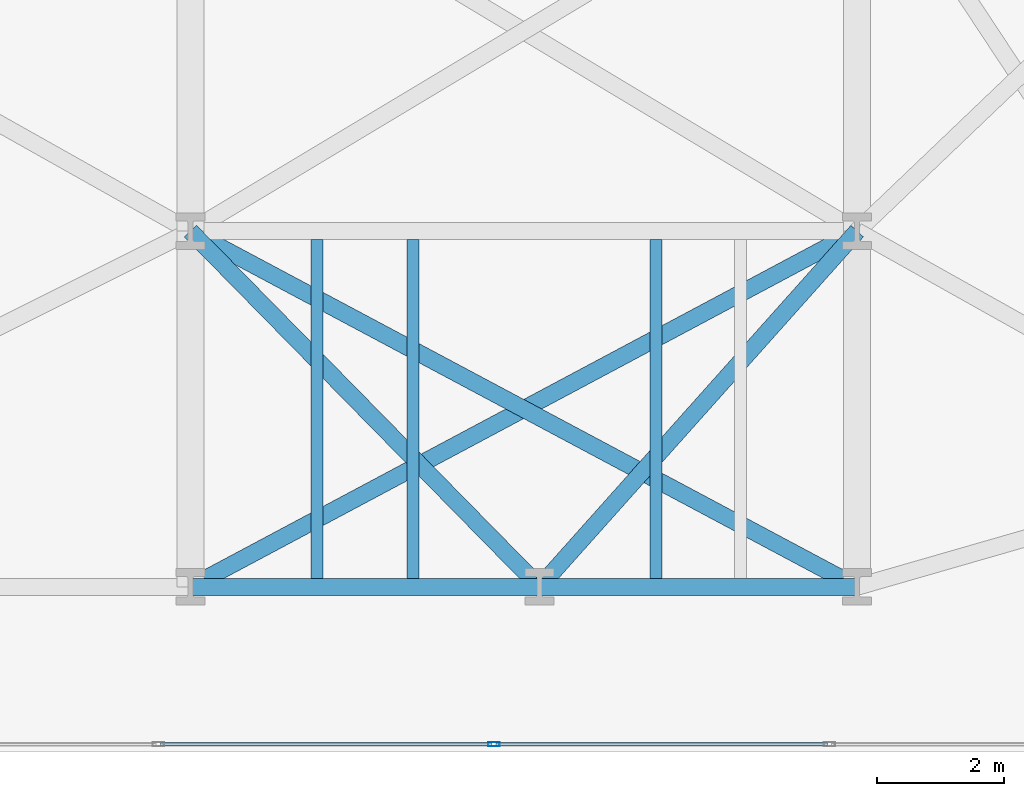
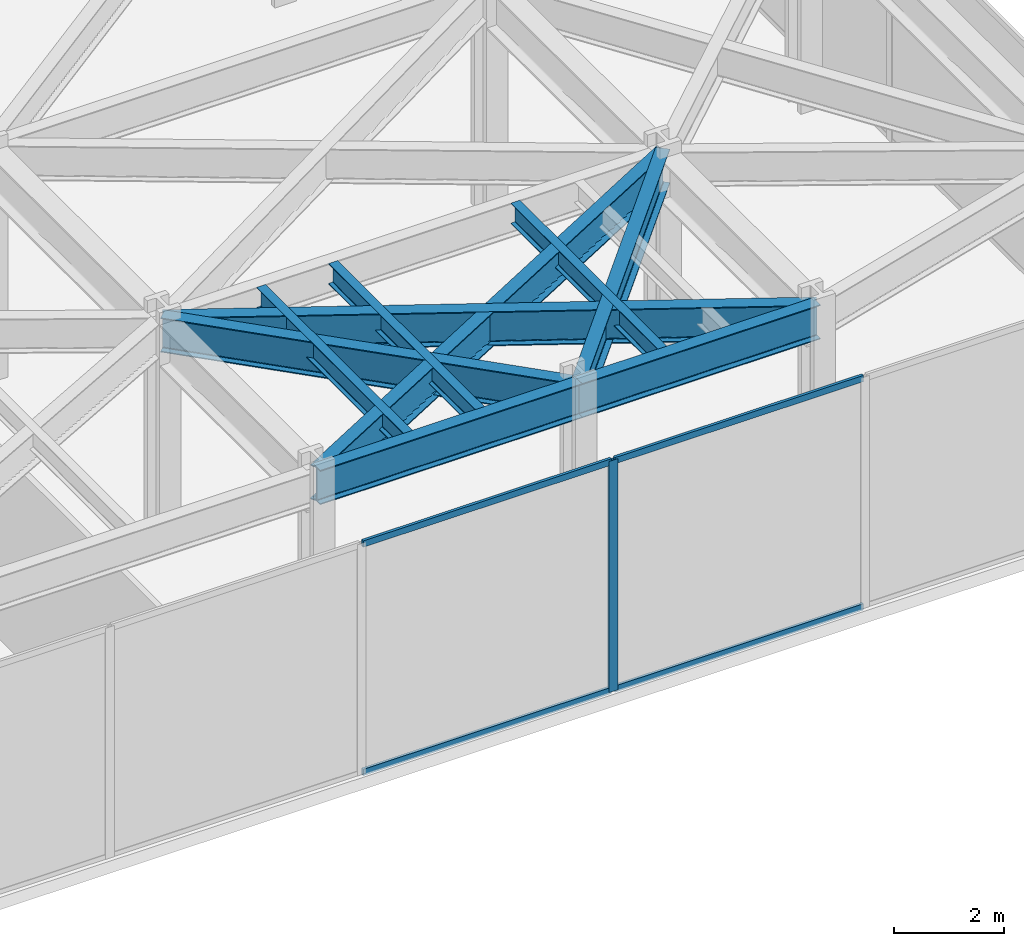
# One storey, part 17 of 29: 9 beams, 5 members, 1 element without a shape of its own.
"""IFC4 building model written with IfcOpenShell, lengths in metres."""

from ifc_helpers import new_model, si_unit, direction, frame, origin, origin_2d, place, context, subcontext, project, spatial, hollow_rectangle, i_section, extrude, material, layer, layer_set, material_profile, profile_set, type_object, element, aggregate, save


model = new_model("IFC4")

# Units and contexts
model_context = context("Model", 3, precision=1e-05, world=origin(), true_north=direction((0.0, 1.0)))
body_context = subcontext(model_context, "Body", "Model", "MODEL_VIEW")
ifc_project = project(units=[si_unit("LENGTHUNIT", "METRE"), si_unit("AREAUNIT", "SQUARE_METRE"), si_unit("VOLUMEUNIT", "CUBIC_METRE"), si_unit("PLANEANGLEUNIT", "RADIAN"), si_unit("MASSUNIT", "GRAM", prefix="KILO")], contexts=[model_context])

# Site, building, storey
site_placement = place(None, origin())
site = spatial("IfcSite", under=ifc_project, at=site_placement, CompositionType="ELEMENT")
building_placement = place(site_placement, origin())
building = spatial("IfcBuilding", under=site, at=building_placement, Name="Kravanh Interchange Tower", CompositionType="ELEMENT")
storey_placement = place(building_placement, frame((0.0, 0.0, 5.39990234375)))
storey = spatial("IfcBuildingStorey", under=building, at=storey_placement, Name="L01", CompositionType="ELEMENT", Elevation=5.39990234375)

# Curtain wall, members
ifc_material_1 = material(Name="Anodised Bronze Aluminium", Category="aluminium")
ifc_layer = layer(ifc_material_1, 0.179931640625)
ifc_layer_set = layer_set([ifc_layer], Name="Unitised Curtain Wall System CW-POD Podium Concourse")
curtain_wall_type = type_object("IfcCurtainWallType", Name="Unitised Curtain Wall System CW-POD Podium Concourse", PredefinedType="NOTDEFINED", material=ifc_layer_set)
curtain_wall_placement = place(storey_placement, origin())
curtain_wall = element("IfcCurtainWall", 1, at=curtain_wall_placement, inside=storey, type_object=curtain_wall_type, Name="L01 Unitised Curtain Wall CW-L01-04", PredefinedType="NOTDEFINED")
ifc_material_2 = material(Name="Anodised Bronze Aluminium", Category="aluminium")
ifc_material_profile_1 = material_profile(ifc_material_2, hollow_rectangle(XDim=0.070068359375, YDim=0.179931640625, WallThickness=0.00390625, at=origin_2d()), Name="ALU70X180X4")
ifc_profile_set_1 = profile_set([ifc_material_profile_1], Name="Anodised Bronze Aluminium")
member_type_1 = type_object("IfcMemberType", Name="Curtain Wall Mullion ALU70X180X4 Bronze", PredefinedType="MULLION", material=ifc_profile_set_1)
member_1_placement = place(storey_placement, frame((60.781005859375, 0.1201171875, 0.0), z_axis=(0.0, 0.0, 1.0), x_axis=(0.0, -1.0, 0.0)))
member_1 = element("IfcMember", 2, at=member_1_placement, type_object=member_type_1, Name="CW-POD mullion 3", PredefinedType="MULLION", context=body_context, shape_type="SweptSolid", body=[
    extrude(hollow_rectangle(XDim=0.070068359375, YDim=0.179931640625, WallThickness=0.00390625, at=origin_2d()), origin(), (0.0, 0.0, 1.0), 5.130126953125),
])
ifc_material_3 = material(Name="Anodised Bronze Aluminium", Category="aluminium")
ifc_material_profile_2 = material_profile(ifc_material_3, hollow_rectangle(XDim=0.06005859375, YDim=0.139892578125, WallThickness=0.00390625, at=origin_2d()), Name="ALU60X140X4")
ifc_profile_set_2 = profile_set([ifc_material_profile_2], Name="Anodised Bronze Aluminium")
member_type_2 = type_object("IfcMemberType", Name="Curtain Wall Transom ALU60X140X4 Bronze", PredefinedType="USERDEFINED", material=ifc_profile_set_2)
member_2_placement = place(storey_placement, frame((66.030517578125, 0.1201171875, 0.030029296875), z_axis=(-1.0, 0.0, 0.0), x_axis=(0.0, -1.0, 0.0)))
member_2 = element("IfcMember", 3, at=member_2_placement, type_object=member_type_2, Name="CW-POD transom 2.1", ObjectType="TRANSOM", PredefinedType="USERDEFINED", context=body_context, shape_type="SweptSolid", body=[
    extrude(hollow_rectangle(XDim=0.06005859375, YDim=0.139892578125, WallThickness=0.00390625, at=origin_2d()), origin(), (0.0, 0.0, 1.0), 5.214599609375),
])
member_3_placement = place(storey_placement, frame((66.030517578125, 0.1201171875, 5.10009765625), z_axis=(-1.0, 0.0, 0.0), x_axis=(0.0, -1.0, 0.0)))
member_3 = element("IfcMember", 4, at=member_3_placement, type_object=member_type_2, Name="CW-POD transom 2.2", ObjectType="TRANSOM", PredefinedType="USERDEFINED", context=body_context, shape_type="SweptSolid", body=[
    extrude(hollow_rectangle(XDim=0.06005859375, YDim=0.139892578125, WallThickness=0.00390625, at=origin_2d()), origin(), (0.0, 0.0, 1.0), 5.214599609375),
])
member_4_placement = place(storey_placement, frame((60.74609375, 0.1201171875, 0.030029296875), z_axis=(-1.0, 0.0, 0.0), x_axis=(0.0, -1.0, 0.0)))
member_4 = element("IfcMember", 5, at=member_4_placement, type_object=member_type_2, Name="CW-POD transom 3.1", ObjectType="TRANSOM", PredefinedType="USERDEFINED", context=body_context, shape_type="SweptSolid", body=[
    extrude(hollow_rectangle(XDim=0.06005859375, YDim=0.139892578125, WallThickness=0.00390625, at=origin_2d()), origin(), (0.0, 0.0, 1.0), 5.21484375),
])
member_5_placement = place(storey_placement, frame((60.74609375, 0.1201171875, 5.10009765625), z_axis=(-1.0, 0.0, 0.0), x_axis=(0.0, -1.0, 0.0)))
member_5 = element("IfcMember", 6, at=member_5_placement, type_object=member_type_2, Name="CW-POD transom 3.2", ObjectType="TRANSOM", PredefinedType="USERDEFINED", context=body_context, shape_type="SweptSolid", body=[
    extrude(hollow_rectangle(XDim=0.06005859375, YDim=0.139892578125, WallThickness=0.00390625, at=origin_2d()), origin(), (0.0, 0.0, 1.0), 5.21484375),
])
aggregate(curtain_wall, [member_1, member_2, member_3, member_4, member_5])

# Beams
ifc_material_4 = material(Name="Structural Steel S355", Category="steel")
ifc_material_profile_3 = material_profile(ifc_material_4, i_section(OverallWidth=0.18994140625, OverallDepth=0.45703125, WebThickness=0.009033203125, FlangeThickness=0.014404296875, FilletRadius=0.01806640625, at=origin_2d()), Name="W18X50")
ifc_profile_set_3 = profile_set([ifc_material_profile_3], Name="Structural Steel S355")
beam_type_1 = type_object("IfcBeamType", Name="Floor Joist W18X50 Structural Steel S355", PredefinedType="JOIST", material=ifc_profile_set_3)
for number, where, z_axis, x_axis, name in (
    (7, (57.993896484375, 2.728515625, 4.901611328125), (0.0, 1.0, 0.0), (-1.0, 0.0, 0.0), "L01 Secondary Floor Joist 9"),
    (8, (59.506103515625, 2.728515625, 4.901611328125), (0.0, 1.0, 0.0), (-1.0, 0.0, 0.0), "L01 Secondary Floor Joist 10"),
    (9, (63.333984375, 2.728515625, 4.901611328125), (0.0, 1.0, 0.0), (-1.0, 0.0, 0.0), "L01 Secondary Floor Joist 11"),
):
    element("IfcBeam", number, at=place(storey_placement, frame(where, z_axis=z_axis, x_axis=x_axis)), inside=storey, type_object=beam_type_1, Name=name, PredefinedType="JOIST", context=body_context, shape_type="SweptSolid", body=[
        extrude(i_section(OverallWidth=0.18994140625, OverallDepth=0.45703125, WebThickness=0.009033203125, FlangeThickness=0.014404296875, FilletRadius=0.01806640625, at=origin_2d()), origin(), (0.0, 0.0, 1.0), 5.343017578125),
    ])
ifc_material_5 = material(Name="Structural Steel S355", Category="steel")
ifc_material_profile_4 = material_profile(ifc_material_5, i_section(OverallWidth=0.26708984375, OverallDepth=0.761962890625, WebThickness=0.014404296875, FlangeThickness=0.021484375, FilletRadius=0.02490234375, at=origin_2d()), Name="W30X116")
ifc_profile_set_4 = profile_set([ifc_material_profile_4], Name="Structural Steel S355")
beam_type_2 = type_object("IfcBeamType", Name="Floor Spandrel W30X116 Structural Steel S355", PredefinedType="SPANDREL", material=ifc_profile_set_4)
beam_1_placement = place(storey_placement, frame((56.0, 2.60009765625, 4.7490234375), z_axis=(1.0, 0.0, 0.0), x_axis=(0.0, 1.0, 0.0)))
element("IfcBeam", 10, at=beam_1_placement, inside=storey, type_object=beam_type_2, Name="L01 Perimeter Spandrel 13", PredefinedType="SPANDREL", context=body_context, shape_type="SweptSolid", body=[
    extrude(i_section(OverallWidth=0.26708984375, OverallDepth=0.761962890625, WebThickness=0.014404296875, FlangeThickness=0.021484375, FilletRadius=0.02490234375, at=origin_2d()), origin(), (0.0, 0.0, 1.0), 5.5),
])
beam_2_placement = place(storey_placement, frame((56.0, 2.60009765625, 4.7490234375), z_axis=(0.882358052411, 0.470578651603, 0.0), x_axis=(-0.470578651603, 0.882358052411, 0.0)))
element("IfcBeam", 11, at=beam_2_placement, inside=storey, type_object=beam_type_2, Name="L01 Perimeter Spandrel 15", PredefinedType="SPANDREL", context=body_context, shape_type="SweptSolid", body=[
    extrude(i_section(OverallWidth=0.26708984375, OverallDepth=0.761962890625, WebThickness=0.014404296875, FlangeThickness=0.021484375, FilletRadius=0.02490234375, at=origin_2d()), origin(), (0.0, 0.0, 1.0), 11.89990234375),
])
beam_3_placement = place(storey_placement, frame((61.5, 2.60009765625, 4.7490234375), z_axis=(1.0, 0.0, 0.0), x_axis=(0.0, 1.0, 0.0)))
element("IfcBeam", 12, at=beam_3_placement, inside=storey, type_object=beam_type_2, Name="L01 Perimeter Spandrel 16", PredefinedType="SPANDREL", context=body_context, shape_type="SweptSolid", body=[
    extrude(i_section(OverallWidth=0.26708984375, OverallDepth=0.761962890625, WebThickness=0.014404296875, FlangeThickness=0.021484375, FilletRadius=0.02490234375, at=origin_2d()), origin(), (0.0, 0.0, 1.0), 5.0),
])
beam_4_placement = place(storey_placement, frame((61.5, 2.60009765625, 4.7490234375), z_axis=(0.666025463167, 0.745929006282, 0.0), x_axis=(-0.745929006282, 0.666025463167, 0.0)))
element("IfcBeam", 13, at=beam_4_placement, inside=storey, type_object=beam_type_2, Name="L01 Perimeter Spandrel 17", PredefinedType="SPANDREL", context=body_context, shape_type="SweptSolid", body=[
    extrude(i_section(OverallWidth=0.26708984375, OverallDepth=0.761962890625, WebThickness=0.014404296875, FlangeThickness=0.021484375, FilletRadius=0.02490234375, at=origin_2d()), origin(), (0.0, 0.0, 1.0), 7.50732421875),
])
beam_5_placement = place(storey_placement, frame((61.5, 2.60009765625, 4.7490234375), z_axis=(-0.700717344595, 0.71343899738, 0.0), x_axis=(-0.71343899738, -0.700717344595, 0.0)))
element("IfcBeam", 14, at=beam_5_placement, inside=storey, type_object=beam_type_2, Name="L01 Perimeter Spandrel 18", PredefinedType="SPANDREL", context=body_context, shape_type="SweptSolid", body=[
    extrude(i_section(OverallWidth=0.26708984375, OverallDepth=0.761962890625, WebThickness=0.014404296875, FlangeThickness=0.021484375, FilletRadius=0.02490234375, at=origin_2d()), origin(), (0.0, 0.0, 1.0), 7.84912109375),
])
beam_6_placement = place(storey_placement, frame((66.5, 2.60009765625, 4.7490234375), z_axis=(-0.882358052411, 0.470578651603, 0.0), x_axis=(-0.470578651603, -0.882358052411, 0.0)))
element("IfcBeam", 15, at=beam_6_placement, inside=storey, type_object=beam_type_2, Name="L01 Perimeter Spandrel 22", PredefinedType="SPANDREL", context=body_context, shape_type="SweptSolid", body=[
    extrude(i_section(OverallWidth=0.26708984375, OverallDepth=0.761962890625, WebThickness=0.014404296875, FlangeThickness=0.021484375, FilletRadius=0.02490234375, at=origin_2d()), origin(), (0.0, 0.0, 1.0), 11.89990234375),
])

save(model, "model.ifc")
